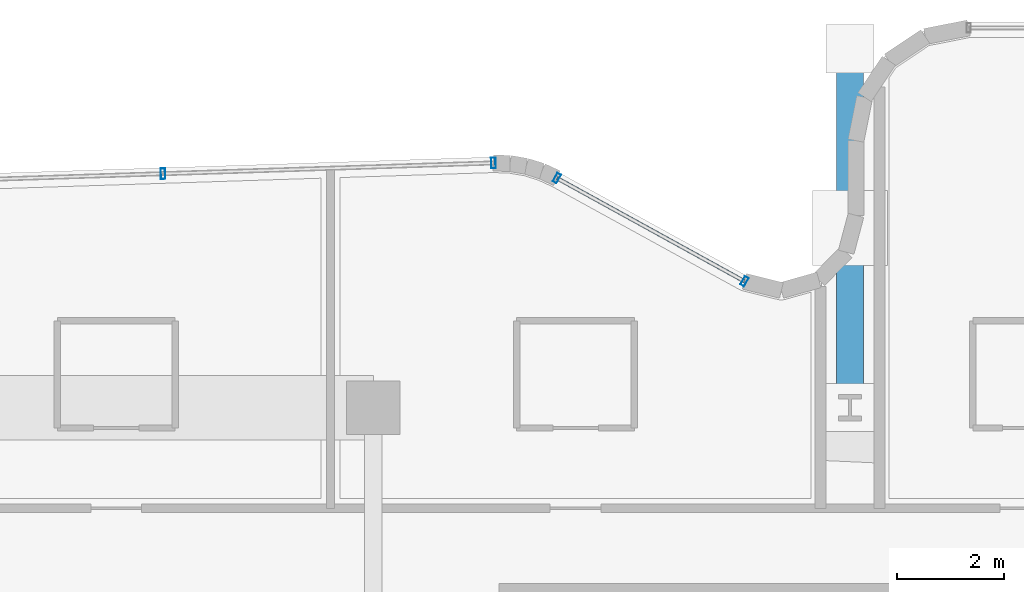
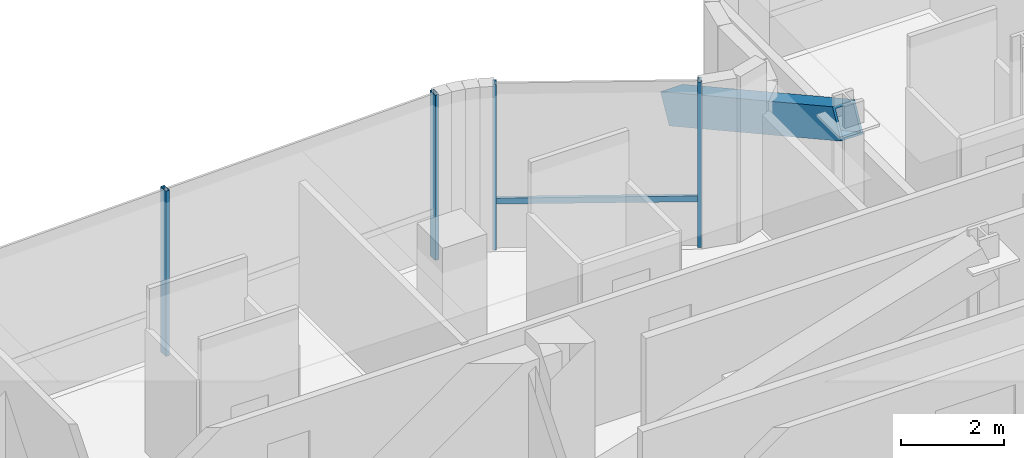
# One storey, part 20 of 37: 6 members, 2 elements without a shape of their own.
"""IFC4 building model written with IfcOpenShell, lengths in metres."""

import ifcopenshell
import ifcopenshell.guid

model = None  # the IFC model being written
_history = None  # IfcOwnerHistory: only IFC2X3 demands one
_inside = {}  # id of a spatial element -> (the spatial element, [elements in it])
_under = {}  # id of a project, library or spatial element -> (it, [spatial elements below it])
_declared = {}  # id of a project -> (the project, [libraries it declares])
_typed = {}  # id of a type object -> (the type object, [elements of that type])
_made_of = {}  # id of a material, layer set ... -> (it, [elements and type objects made of it])


def new_model(schema):
    """Start an empty IFC model of exactly this schema.

    Asked for "IFC4X3", IfcOpenShell would pick the latest addendum, in which some entities
    have other attributes; the version numbers below select the first issue.
    IFC2X3 requires an IfcOwnerHistory on every rooted entity: one is made here for all.
    """
    global model, _history
    if schema == "IFC4X3":
        model = ifcopenshell.file(schema_version=(4, 3, 0, 0))
    else:
        model = ifcopenshell.file(schema=schema)
    _inside.clear()
    _under.clear()
    _declared.clear()
    _typed.clear()
    _made_of.clear()
    _history = None
    if model.schema == "IFC2X3":
        org = make("IfcOrganization", Name="unknown")
        user = make(
            "IfcPersonAndOrganization",
            ThePerson=make("IfcPerson", FamilyName="unknown"),
            TheOrganization=org,
        )
        app = make(
            "IfcApplication",
            ApplicationDeveloper=org,
            Version="unknown",
            ApplicationFullName="unknown",
            ApplicationIdentifier="unknown",
        )
        _history = make(
            "IfcOwnerHistory",
            OwningUser=user,
            OwningApplication=app,
            ChangeAction="ADDED",
            CreationDate=0,
        )
    return model


def make(cls, **values):
    """One entity of the class cls with the attributes given. An attribute that is None is left unset."""
    return model.create_entity(
        cls, **{name: value for name, value in values.items() if value is not None}
    )


def rooted(cls, **values):
    """An entity with a GlobalId (a new one), such as an element, a storey or a relation."""
    return make(cls, GlobalId=ifcopenshell.guid.new(), OwnerHistory=_history, **values)


def si_unit(unit_type, name, prefix=None):
    """IfcSIUnit, for example si_unit("LENGTHUNIT", "METRE", prefix="MILLI")."""
    return make("IfcSIUnit", UnitType=unit_type, Prefix=prefix, Name=name)


def assignment(units):
    """IfcUnitAssignment: the units of a project."""
    return None if units is None else make("IfcUnitAssignment", Units=units)


def point(xyz):
    """IfcCartesianPoint."""
    return None if xyz is None else make("IfcCartesianPoint", Coordinates=xyz)


def direction(xyz):
    """IfcDirection."""
    return None if xyz is None else make("IfcDirection", DirectionRatios=xyz)


def frame(location, z_axis=None, x_axis=None):
    """IfcAxis2Placement3D, a coordinate frame: its origin and axes. An axis left out is left unset."""
    return make(
        "IfcAxis2Placement3D",
        Location=point(location),
        Axis=direction(z_axis),
        RefDirection=direction(x_axis),
    )


def frame_2d(location, x_axis=None):
    """IfcAxis2Placement2D, a coordinate frame in the plane: its origin and x axis."""
    return make(
        "IfcAxis2Placement2D", Location=point(location), RefDirection=direction(x_axis)
    )


def origin():
    """The frame at (0, 0, 0) with its axes left unset."""
    return frame((0.0, 0.0, 0.0))


def origin_2d():
    """The frame at (0, 0) in the plane with its x axis left unset."""
    return frame_2d((0.0, 0.0))


def place(relative_to, where):
    """IfcLocalPlacement: puts the frame where relative to a parent placement (None: the world)."""
    return make(
        "IfcLocalPlacement", PlacementRelTo=relative_to, RelativePlacement=where
    )


def context(
    kind, dimensions, precision=None, world=None, true_north=None, identifier=None
):
    """IfcGeometricRepresentationContext, for example the 3D "Model" context."""
    return make(
        "IfcGeometricRepresentationContext",
        ContextIdentifier=identifier,
        ContextType=kind,
        CoordinateSpaceDimension=dimensions,
        Precision=precision,
        WorldCoordinateSystem=world,
        TrueNorth=true_north,
    )


def subcontext(parent, identifier, kind, view, scale=None):
    """IfcGeometricRepresentationSubContext, for example "Body" below "Model"."""
    return make(
        "IfcGeometricRepresentationSubContext",
        ContextIdentifier=identifier,
        ContextType=kind,
        ParentContext=parent,
        TargetScale=scale,
        TargetView=view,
    )


def project(units=None, contexts=None):
    """IfcProject with its units and contexts."""
    return rooted(
        "IfcProject",
        Name="project",
        RepresentationContexts=contexts,
        UnitsInContext=assignment(units),
    )


def spatial(cls, under=None, at=None, **own):
    """A site, building, storey or space (cls), placed at a placement, below another one or the project."""
    s = rooted(cls, ObjectPlacement=at, **own)
    if under is not None:
        _under.setdefault(under.id(), (under, []))[1].append(s)
    return s


def profile(cls, at=None, kind="AREA", **sizes):
    """A parametric profile (cls). Its sizes go by their IFC names, for example OverallWidth=200.0."""
    return make(cls, ProfileType=kind, Position=at, **sizes)


def hollow_rectangle(**sizes):
    """IfcRectangleHollowProfileDef."""
    return profile("IfcRectangleHollowProfileDef", **sizes)


def extrude(swept, where, along, depth):
    """IfcExtrudedAreaSolid: the profile swept, set in the frame where, extruded along a direction by depth."""
    return make(
        "IfcExtrudedAreaSolid",
        SweptArea=swept,
        Position=where,
        ExtrudedDirection=direction(along),
        Depth=depth,
    )


def shape(context_of_items, identifier, shape_type, items):
    """IfcShapeRepresentation: the items that make up one representation, for example the "Body"."""
    return make(
        "IfcShapeRepresentation",
        ContextOfItems=context_of_items,
        RepresentationIdentifier=identifier,
        RepresentationType=shape_type,
        Items=items,
    )


def source(mapping_origin, context_of_items, identifier, shape_type, items):
    """IfcRepresentationMap: a shape defined once, which mapped items show again and again."""
    return make(
        "IfcRepresentationMap",
        MappingOrigin=mapping_origin,
        MappedRepresentation=shape(context_of_items, identifier, shape_type, items),
    )


def transform(
    local_origin,
    x_axis=None,
    y_axis=None,
    z_axis=None,
    scale=None,
    scale2=None,
    scale3=None,
    uniform=True,
):
    """IfcCartesianTransformationOperator3D, or its non-uniform kind. x_axis, y_axis, z_axis: its Axis1, 2, 3."""
    if uniform:
        return make(
            "IfcCartesianTransformationOperator3D",
            Axis1=direction(x_axis),
            Axis2=direction(y_axis),
            LocalOrigin=point(local_origin),
            Scale=scale,
            Axis3=direction(z_axis),
        )
    return make(
        "IfcCartesianTransformationOperator3DnonUniform",
        Axis1=direction(x_axis),
        Axis2=direction(y_axis),
        LocalOrigin=point(local_origin),
        Scale=scale,
        Axis3=direction(z_axis),
        Scale2=scale2,
        Scale3=scale3,
    )


def mapped(mapping_source, mapping_target):
    """IfcMappedItem: shows the shape of a source again, moved by a transform."""
    return make(
        "IfcMappedItem", MappingSource=mapping_source, MappingTarget=mapping_target
    )


def material(Name=None, Category=None):
    """IfcMaterial."""
    return make("IfcMaterial", Name=Name, Category=Category)


def material_profile(
    of_material, cross_section, Name=None, Category=None, Priority=None
):
    """IfcMaterialProfile: a cross section and its material."""
    return make(
        "IfcMaterialProfile",
        Name=Name,
        Material=of_material,
        Profile=cross_section,
        Priority=Priority,
        Category=Category,
    )


def profile_set(profiles, Name=None, composite=None):
    """IfcMaterialProfileSet."""
    return make(
        "IfcMaterialProfileSet",
        Name=Name,
        MaterialProfiles=profiles,
        CompositeProfile=composite,
    )


def made_of(thing, what):
    """Note that an element or type object is made of a material, layer set ...; save() writes the relation."""
    if what is not None:
        _made_of.setdefault(what.id(), (what, []))[1].append(thing)
    return thing


def type_object(cls, material=None, **own):
    """A type object (cls), such as IfcWallType, which elements share."""
    return made_of(rooted(cls, **own), material)


def element(
    cls,
    number,
    at=None,
    inside=None,
    cuts=None,
    type_object=None,
    material=None,
    context=None,
    identifier="Body",
    shape_type=None,
    held_by="IfcProductDefinitionShape",
    body=None,
    shapes=None,
    **own,
):
    """One element of the class cls, such as IfcWall. Its Tag is "e" and its number.

    at: its placement. inside: the storey or other place that contains it. cuts: it is an
    opening in that element (IfcRelVoidsElement). A single representation is given by context,
    identifier, shape_type and body (its items); several are given by shapes. held_by: the class
    of the entity that holds the representations. save() writes the other relations.
    """
    e = rooted(cls, Tag="e%d" % number, ObjectPlacement=at, **own)
    if body is not None:
        shapes = [shape(context, identifier, shape_type, body)]
    if shapes is not None:
        e.Representation = make(held_by, Representations=shapes)
    if inside is not None:
        _inside.setdefault(inside.id(), (inside, []))[1].append(e)
    if cuts is not None:
        rooted(
            "IfcRelVoidsElement", RelatingBuildingElement=cuts, RelatedOpeningElement=e
        )
    if type_object is not None:
        _typed.setdefault(type_object.id(), (type_object, []))[1].append(e)
    return made_of(e, material)


def aggregate(whole, parts):
    """IfcRelAggregates: a whole, such as a stair, and the parts it consists of."""
    return rooted("IfcRelAggregates", RelatingObject=whole, RelatedObjects=parts)


def save(model, path):
    """Write the relations noted so far, then the file.

    IfcRelAggregates (storeys below a building ...), IfcRelContainedInSpatialStructure (elements
    in a storey), IfcRelDefinesByType, IfcRelAssociatesMaterial and IfcRelDeclares: one each for
    every whole, place, type object, material and project.
    """
    for whole, parts in _under.values():
        aggregate(whole, parts)
    for where, things in _inside.values():
        rooted(
            "IfcRelContainedInSpatialStructure",
            RelatedElements=things,
            RelatingStructure=where,
        )
    for kind, things in _typed.values():
        rooted("IfcRelDefinesByType", RelatedObjects=things, RelatingType=kind)
    for what, things in _made_of.values():
        rooted("IfcRelAssociatesMaterial", RelatedObjects=things, RelatingMaterial=what)
    for by, libraries in _declared.values():
        rooted("IfcRelDeclares", RelatingContext=by, RelatedDefinitions=libraries)
    model.write(path)


model = new_model("IFC4")

# Units and contexts
model_context = context("Model", 3, precision=1e-05, world=origin(), true_north=direction((0.0, 1.0)))
body_context = subcontext(model_context, "Body", "Model", "MODEL_VIEW")
ifc_project = project(units=[si_unit("LENGTHUNIT", "METRE"), si_unit("AREAUNIT", "SQUARE_METRE"), si_unit("VOLUMEUNIT", "CUBIC_METRE"), si_unit("PLANEANGLEUNIT", "RADIAN"), si_unit("MASSUNIT", "GRAM", prefix="KILO")], contexts=[model_context])

# Site, building, storey
site_placement = place(None, origin())
site = spatial("IfcSite", under=ifc_project, at=site_placement, CompositionType="ELEMENT")
building_placement = place(site_placement, origin())
building = spatial("IfcBuilding", under=site, at=building_placement, Name="Valdorenza Pilgrim Sanctuary Tower", CompositionType="ELEMENT")
storey_placement = place(building_placement, frame((0.0, 0.0, 172.300048828125)))
storey = spatial("IfcBuildingStorey", under=building, at=storey_placement, Name="L44", CompositionType="ELEMENT", Elevation=172.300048828125)

# Member
ifc_material_1 = material(Name="Steel ASTM A572 Grade 42", Category="steel")
ifc_material_profile_1 = material_profile(ifc_material_1, hollow_rectangle(XDim=0.5, YDim=0.699951171875, WallThickness=0.050048828125, at=origin_2d()), Name="BOX 700x500x50")
ifc_profile_set_1 = profile_set([ifc_material_profile_1], Name="Steel ASTM A572 Grade 42")
member_type_1 = type_object("IfcMemberType", Name="STR-MB-PROW-CHORD", PredefinedType="CHORD", material=ifc_profile_set_1)
shared_shape_1 = source(origin(), body_context, "Body", "SweptSolid", [
    extrude(hollow_rectangle(XDim=0.5, YDim=0.699951171875, WallThickness=0.050048828125, at=origin_2d()), origin(), (0.0, 0.0, 1.0), 7.65380859375),
])
member_1_placement = place(storey_placement, frame((-3.5, 21.5, 0.0), z_axis=(0.0, -0.87538826171, 0.483420511832), x_axis=(1.0, 0.0, 0.0)))
element("IfcMember", 1, at=member_1_placement, inside=storey, type_object=member_type_1, Name="North Sanctuary Prow Truss Tie W", PredefinedType="CHORD", context=body_context, shape_type="MappedRepresentation", body=[
    mapped(shared_shape_1, transform((0.0, 0.0, 0.0), x_axis=(1.0, 0.0, 0.0), y_axis=(0.0, 1.0, 0.0), z_axis=(0.0, 0.0, 1.0), scale=1.0)),
])

# Curtain wall, members
ifc_material_2 = material(Name="Curtain-wall IGU glazing", Category="glass")
curtain_wall_type_1 = type_object("IfcCurtainWallType", Name="CW-SYS-02", PredefinedType="NOTDEFINED", material=ifc_material_2)
curtain_wall_1_placement = place(storey_placement, origin())
curtain_wall_1 = element("IfcCurtainWall", 2, at=curtain_wall_1_placement, inside=storey, type_object=curtain_wall_type_1, Name="L44 Curtain Wall CW-L44-1-6", PredefinedType="NOTDEFINED")
ifc_material_3 = material(Name="Anodised aluminium AW-6060", Category="aluminium")
ifc_material_profile_2 = material_profile(ifc_material_3, hollow_rectangle(XDim=0.0849609375, YDim=0.199951171875, WallThickness=0.0048828125, at=origin_2d()), Name="ALU-M 200x85x5")
ifc_profile_set_2 = profile_set([ifc_material_profile_2], Name="Anodised aluminium AW-6060")
member_type_2 = type_object("IfcMemberType", Name="CW-MUL-02", PredefinedType="MULLION", material=ifc_profile_set_2)
shared_shape_2 = source(origin(), body_context, "Body", "SweptSolid", [
    extrude(hollow_rectangle(XDim=0.0849609375, YDim=0.199951171875, WallThickness=0.0048828125, at=origin_2d()), origin(), (0.0, 0.0, 1.0), 3.929931640625),
])
member_2_placement = place(storey_placement, frame((-16.32666015625, 19.167724609375, 0.0), z_axis=(0.0, 0.0, 1.0), x_axis=(0.999470282811, 0.032544642846, 0.0)))
member_2 = element("IfcMember", 3, at=member_2_placement, type_object=member_type_2, Name="CW-L44-1-6 Mullion 3", PredefinedType="MULLION", context=body_context, shape_type="MappedRepresentation", body=[
    mapped(shared_shape_2, transform((0.0, 0.0, 0.0), x_axis=(1.0, 0.0, 0.0), y_axis=(0.0, 1.0, 0.0), z_axis=(0.0, 0.0, 1.0), scale=1.0)),
])
member_3_placement = place(storey_placement, frame((-10.157958984375, 19.368408203125, 0.0), z_axis=(0.0, 0.0, 1.0), x_axis=(0.999470282811, 0.032544642846, 0.0)))
member_3 = element("IfcMember", 4, at=member_3_placement, type_object=member_type_2, Name="CW-L44-1-6 Mullion 4", PredefinedType="MULLION", context=body_context, shape_type="MappedRepresentation", body=[
    mapped(shared_shape_2, transform((0.0, 0.0, 0.0), x_axis=(1.0, 0.0, 0.0), y_axis=(0.0, 1.0, 0.0), z_axis=(0.0, 0.0, 1.0), scale=1.0)),
])
aggregate(curtain_wall_1, [member_2, member_3])

curtain_wall_type_2 = type_object("IfcCurtainWallType", Name="CW-SYS-05", PredefinedType="NOTDEFINED", material=ifc_material_2)
curtain_wall_2_placement = place(storey_placement, origin())
curtain_wall_2 = element("IfcCurtainWall", 5, at=curtain_wall_2_placement, inside=storey, type_object=curtain_wall_type_2, Name="L44 Curtain Wall CW-L44-1-11", PredefinedType="NOTDEFINED")
ifc_material_profile_3 = material_profile(ifc_material_3, hollow_rectangle(XDim=0.080078125, YDim=0.179931640625, WallThickness=0.00439453125, at=origin_2d()), Name="ALU-M 180x80x4.5")
ifc_profile_set_3 = profile_set([ifc_material_profile_3], Name="Anodised aluminium AW-6060")
member_type_3 = type_object("IfcMemberType", Name="CW-MUL-05", PredefinedType="MULLION", material=ifc_profile_set_3)
shared_shape_3 = source(origin(), body_context, "Body", "SweptSolid", [
    extrude(hollow_rectangle(XDim=0.080078125, YDim=0.179931640625, WallThickness=0.00439453125, at=origin_2d()), origin(), (0.0, 0.0, 1.0), 3.929931640625),
])
member_4_placement = place(storey_placement, frame((-8.972900390625, 19.084716796875, 0.0), z_axis=(0.0, 0.0, 1.0), x_axis=(0.876214173829, -0.481921904027, 0.0)))
member_4 = element("IfcMember", 6, at=member_4_placement, type_object=member_type_3, Name="CW-L44-1-11 Mullion 1", PredefinedType="MULLION", context=body_context, shape_type="MappedRepresentation", body=[
    mapped(shared_shape_3, transform((0.0, 0.0, 0.0), x_axis=(1.0, 0.0, 0.0), y_axis=(0.0, 1.0, 0.0), z_axis=(0.0, 0.0, 1.0), scale=1.0)),
])
member_5_placement = place(storey_placement, frame((-5.4716796875, 17.15869140625, 0.0), z_axis=(0.0, 0.0, 1.0), x_axis=(0.876214173829, -0.481921904027, 0.0)))
member_5 = element("IfcMember", 7, at=member_5_placement, type_object=member_type_3, Name="CW-L44-1-11 Mullion 2", PredefinedType="MULLION", context=body_context, shape_type="MappedRepresentation", body=[
    mapped(shared_shape_3, transform((0.0, 0.0, 0.0), x_axis=(1.0, 0.0, 0.0), y_axis=(0.0, 1.0, 0.0), z_axis=(0.0, 0.0, 1.0), scale=1.0)),
])
ifc_material_profile_4 = material_profile(ifc_material_3, hollow_rectangle(XDim=0.070068359375, YDim=0.139892578125, WallThickness=0.00341796875, at=origin_2d()), Name="ALU-T 140x70x3.5")
ifc_profile_set_4 = profile_set([ifc_material_profile_4], Name="Anodised aluminium AW-6060")
member_type_4 = type_object("IfcMemberType", Name="CW-TRN-05", PredefinedType="USERDEFINED", material=ifc_profile_set_4)
shared_shape_4 = source(origin(), body_context, "Body", "SweptSolid", [
    extrude(hollow_rectangle(XDim=0.070068359375, YDim=0.139892578125, WallThickness=0.00341796875, at=origin_2d()), origin(), (0.0, 0.0, 1.0), 3.99609375),
])
member_6_placement = place(storey_placement, frame((-8.972900390625, 19.084716796875, 1.119873046875), z_axis=(0.876178497897, -0.48198676312, 0.0), x_axis=(0.48198676312, 0.876178497897, 0.0)))
member_6 = element("IfcMember", 8, at=member_6_placement, type_object=member_type_4, Name="CW-L44-1-11 Transom 1", ObjectType="TRANSOM", PredefinedType="USERDEFINED", context=body_context, shape_type="MappedRepresentation", body=[
    mapped(shared_shape_4, transform((0.0, 0.0, 0.0), x_axis=(1.0, 0.0, 0.0), y_axis=(0.0, 1.0, 0.0), z_axis=(0.0, 0.0, 1.0), scale=1.0)),
])
aggregate(curtain_wall_2, [member_4, member_5, member_6])

save(model, "model.ifc")
